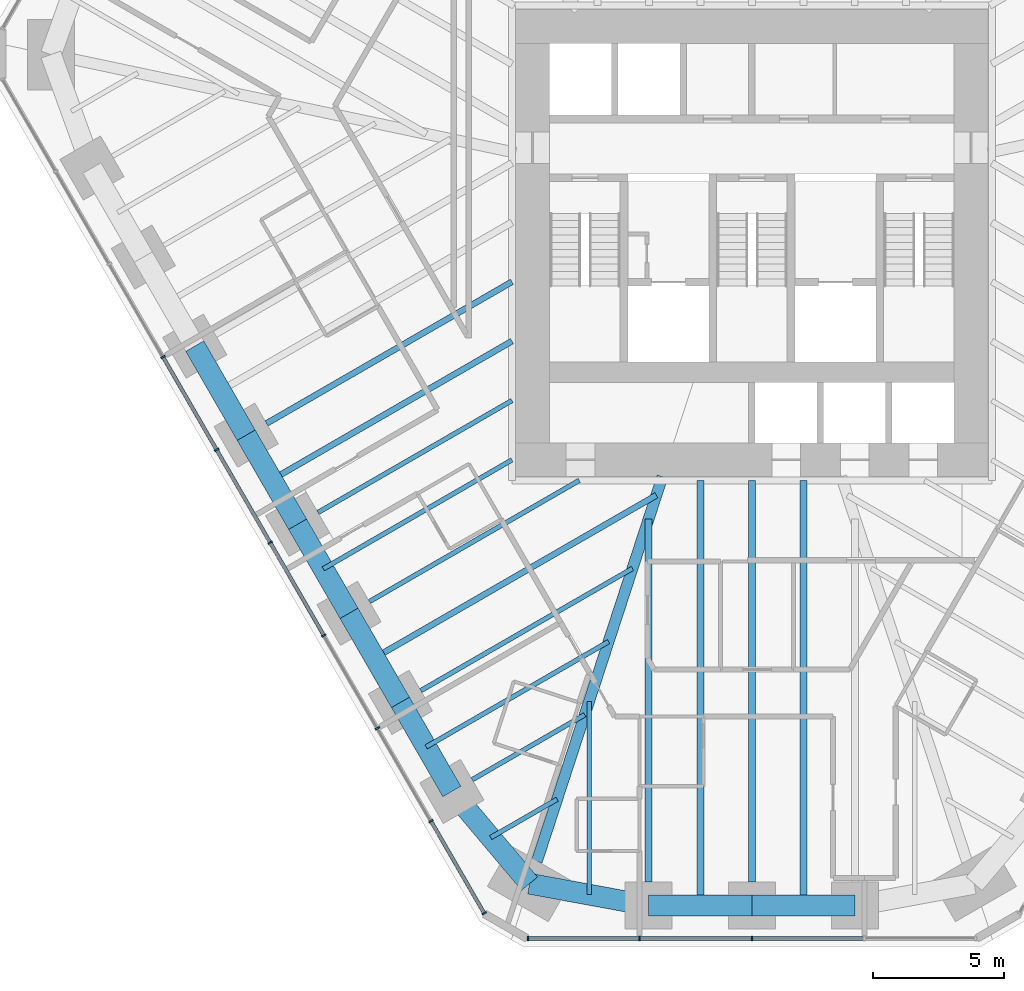
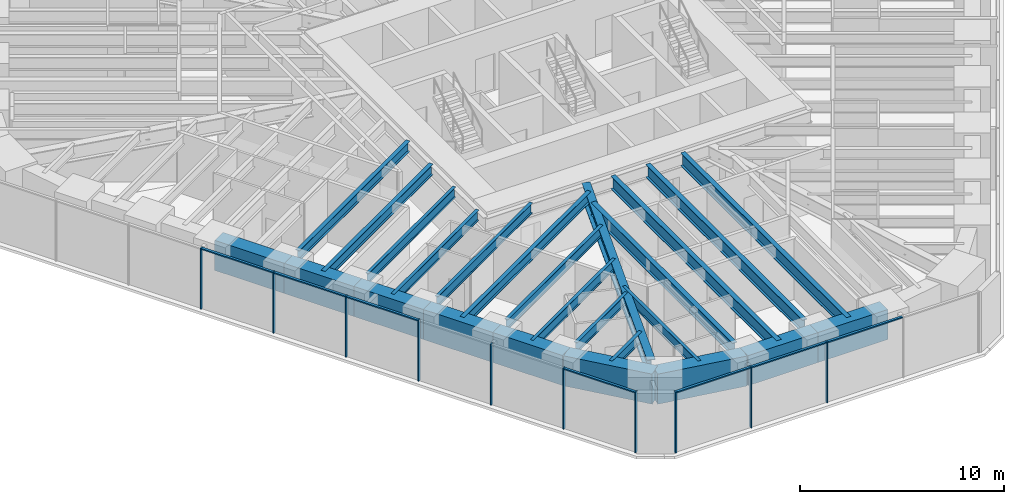
# One storey, part 2 of 17: 25 beams, 17 members, 2 elements without a shape of their own.
"""IFC4 building model written with IfcOpenShell, lengths in metres."""

from ifc_helpers import new_model, si_unit, direction, frame, origin, origin_2d, place, context, subcontext, project, spatial, rectangle, i_section, extrude, material, material_profile, profile_set, type_object, element, aggregate, save


model = new_model("IFC4")

# Units and contexts
model_context = context("Model", 3, precision=1e-05, world=origin(), true_north=direction((0.0, 1.0)))
body_context = subcontext(model_context, "Body", "Model", "MODEL_VIEW")
ifc_project = project(units=[si_unit("LENGTHUNIT", "METRE"), si_unit("AREAUNIT", "SQUARE_METRE"), si_unit("VOLUMEUNIT", "CUBIC_METRE"), si_unit("PLANEANGLEUNIT", "RADIAN"), si_unit("MASSUNIT", "GRAM", prefix="KILO")], contexts=[model_context])

# Site, building, storey
site_placement = place(None, origin())
site = spatial("IfcSite", under=ifc_project, at=site_placement, CompositionType="ELEMENT")
building_placement = place(site_placement, origin())
building = spatial("IfcBuilding", under=site, at=building_placement, Name="Sandreach Pilgrim Tower", CompositionType="ELEMENT")
storey_placement = place(building_placement, frame((0.0, 0.0, 123.39990234375)))
storey = spatial("IfcBuildingStorey", under=building, at=storey_placement, Name="L30", CompositionType="ELEMENT", Elevation=123.39990234375)

# Curtain wall, members
ifc_material_1 = material(Name="Aluminium framed curtain wall", Category="aluminium")
curtain_wall_type = type_object("IfcCurtainWallType", Name="Hotel tower curtain wall", PredefinedType="NOTDEFINED", material=ifc_material_1)
curtain_wall_1_placement = place(storey_placement, origin())
curtain_wall_1 = element("IfcCurtainWall", 1, at=curtain_wall_1_placement, inside=storey, type_object=curtain_wall_type, Name="CW-2 L30 S", PredefinedType="NOTDEFINED")
ifc_material_2 = material(Name="Aluminium extrusion", Category="aluminium")
ifc_material_profile_1 = material_profile(ifc_material_2, rectangle(XDim=0.06494140625, YDim=0.179931640625, at=origin_2d()), Name="CW-2M 65X180")
ifc_profile_set_1 = profile_set([ifc_material_profile_1], Name="Aluminium extrusion")
member_type_1 = type_object("IfcMemberType", Name="CW-2 mullion", PredefinedType="MULLION", material=ifc_profile_set_1)
member_1_placement = place(storey_placement, frame((0.0, -28.192138671875, 0.0), z_axis=(0.0, 0.0, 1.0), x_axis=(-1.0, 0.0, 0.0)))
member_1 = element("IfcMember", 2, at=member_1_placement, type_object=member_type_1, Name="CW-2 mullion 3", PredefinedType="MULLION", context=body_context, shape_type="SweptSolid", body=[
    extrude(rectangle(XDim=0.06494140625, YDim=0.179931640625, at=origin_2d()), origin(), (0.0, 0.0, 1.0), 3.64013671875),
])
member_2_placement = place(storey_placement, frame((-4.3056640625, -28.192138671875, 0.0), z_axis=(0.0, 0.0, 1.0), x_axis=(-1.0, 0.0, 0.0)))
member_2 = element("IfcMember", 3, at=member_2_placement, type_object=member_type_1, Name="CW-2 mullion 4", PredefinedType="MULLION", context=body_context, shape_type="SweptSolid", body=[
    extrude(rectangle(XDim=0.06494140625, YDim=0.179931640625, at=origin_2d()), origin(), (0.0, 0.0, 1.0), 3.64013671875),
])
member_3_placement = place(storey_placement, frame((-8.578857421875, -28.192138671875, 0.0), z_axis=(0.0, 0.0, 1.0), x_axis=(-1.0, 0.0, 0.0)))
member_3 = element("IfcMember", 4, at=member_3_placement, type_object=member_type_1, Name="CW-2 mullion 5", PredefinedType="MULLION", context=body_context, shape_type="SweptSolid", body=[
    extrude(rectangle(XDim=0.06494140625, YDim=0.179931640625, at=origin_2d()), origin(), (0.0, 0.0, 1.0), 3.64013671875),
])

curtain_wall_2_placement = place(storey_placement, origin())
curtain_wall_2 = element("IfcCurtainWall", 5, at=curtain_wall_2_placement, inside=storey, type_object=curtain_wall_type, Name="CW-2 L30 SW", PredefinedType="NOTDEFINED")
member_4_placement = place(storey_placement, frame((-10.255859375, -27.22412109375, 0.0), z_axis=(0.0, 0.0, 1.0), x_axis=(-0.5, 0.866025403784, 0.0)))
member_4 = element("IfcMember", 6, at=member_4_placement, type_object=member_type_1, Name="CW-2 mullion 1", PredefinedType="MULLION", context=body_context, shape_type="SweptSolid", body=[
    extrude(rectangle(XDim=0.06494140625, YDim=0.179931640625, at=origin_2d()), origin(), (0.0, 0.0, 1.0), 3.64013671875),
])
member_5_placement = place(storey_placement, frame((-12.29296875, -23.695556640625, 0.0), z_axis=(0.0, 0.0, 1.0), x_axis=(-0.5, 0.866025403784, 0.0)))
member_5 = element("IfcMember", 7, at=member_5_placement, type_object=member_type_1, Name="CW-2 mullion 2", PredefinedType="MULLION", context=body_context, shape_type="SweptSolid", body=[
    extrude(rectangle(XDim=0.06494140625, YDim=0.179931640625, at=origin_2d()), origin(), (0.0, 0.0, 1.0), 3.64013671875),
])
member_6_placement = place(storey_placement, frame((-14.346435546875, -20.138671875, 0.0), z_axis=(0.0, 0.0, 1.0), x_axis=(-0.5, 0.866025403784, 0.0)))
member_6 = element("IfcMember", 8, at=member_6_placement, type_object=member_type_1, Name="CW-2 mullion 3", PredefinedType="MULLION", context=body_context, shape_type="SweptSolid", body=[
    extrude(rectangle(XDim=0.06494140625, YDim=0.179931640625, at=origin_2d()), origin(), (0.0, 0.0, 1.0), 3.64013671875),
])
member_7_placement = place(storey_placement, frame((-16.39990234375, -16.58203125, 0.0), z_axis=(0.0, 0.0, 1.0), x_axis=(-0.5, 0.866025403784, 0.0)))
member_7 = element("IfcMember", 9, at=member_7_placement, type_object=member_type_1, Name="CW-2 mullion 4", PredefinedType="MULLION", context=body_context, shape_type="SweptSolid", body=[
    extrude(rectangle(XDim=0.06494140625, YDim=0.179931640625, at=origin_2d()), origin(), (0.0, 0.0, 1.0), 3.64013671875),
])
member_8_placement = place(storey_placement, frame((-18.453369140625, -13.025146484375, 0.0), z_axis=(0.0, 0.0, 1.0), x_axis=(-0.5, 0.866025403784, 0.0)))
member_8 = element("IfcMember", 10, at=member_8_placement, type_object=member_type_1, Name="CW-2 mullion 5", PredefinedType="MULLION", context=body_context, shape_type="SweptSolid", body=[
    extrude(rectangle(XDim=0.06494140625, YDim=0.179931640625, at=origin_2d()), origin(), (0.0, 0.0, 1.0), 3.64013671875),
])
member_9_placement = place(storey_placement, frame((-20.5068359375, -9.468505859375, 0.0), z_axis=(0.0, 0.0, 1.0), x_axis=(-0.5, 0.866025403784, 0.0)))
member_9 = element("IfcMember", 11, at=member_9_placement, type_object=member_type_1, Name="CW-2 mullion 6", PredefinedType="MULLION", context=body_context, shape_type="SweptSolid", body=[
    extrude(rectangle(XDim=0.06494140625, YDim=0.179931640625, at=origin_2d()), origin(), (0.0, 0.0, 1.0), 3.64013671875),
])
member_10_placement = place(storey_placement, frame((-22.560302734375, -5.911865234375, 0.0), z_axis=(0.0, 0.0, 1.0), x_axis=(-0.5, 0.866025403784, 0.0)))
member_10 = element("IfcMember", 12, at=member_10_placement, type_object=member_type_1, Name="CW-2 mullion 7", PredefinedType="MULLION", context=body_context, shape_type="SweptSolid", body=[
    extrude(rectangle(XDim=0.06494140625, YDim=0.179931640625, at=origin_2d()), origin(), (0.0, 0.0, 1.0), 3.64013671875),
])

# Member
ifc_material_3 = material(Name="Aluminium extrusion", Category="aluminium")
ifc_material_profile_2 = material_profile(ifc_material_3, rectangle(XDim=0.139892578125, YDim=0.070068359375, at=origin_2d()), Name="CW-2T 140X70")
ifc_profile_set_2 = profile_set([ifc_material_profile_2], Name="Aluminium extrusion")
member_type_2 = type_object("IfcMemberType", Name="CW-2 transom", PredefinedType="USERDEFINED", material=ifc_profile_set_2)
member_11_placement = place(storey_placement, frame((4.273193359375, -28.192138671875, 3.60498046875), z_axis=(-1.0, 0.0, 0.0), x_axis=(0.0, -1.0, 0.0)))
member_11 = element("IfcMember", 13, at=member_11_placement, type_object=member_type_2, Name="CW-2 head transom 2", ObjectType="TRANSOM", PredefinedType="USERDEFINED", context=body_context, shape_type="SweptSolid", body=[
    extrude(rectangle(XDim=0.139892578125, YDim=0.070068359375, at=origin_2d()), origin(), (0.0, 0.0, 1.0), 4.24072265625),
])

member_12_placement = place(storey_placement, frame((-0.032470703125, -28.192138671875, 3.60498046875), z_axis=(-1.0, 0.0, 0.0), x_axis=(0.0, -1.0, 0.0)))
member_12 = element("IfcMember", 14, at=member_12_placement, type_object=member_type_2, Name="CW-2 head transom 3", ObjectType="TRANSOM", PredefinedType="USERDEFINED", context=body_context, shape_type="SweptSolid", body=[
    extrude(rectangle(XDim=0.139892578125, YDim=0.070068359375, at=origin_2d()), origin(), (0.0, 0.0, 1.0), 4.24072265625),
])

member_13_placement = place(storey_placement, frame((-4.338134765625, -28.192138671875, 3.60498046875), z_axis=(-1.0, 0.0, 0.0), x_axis=(0.0, -1.0, 0.0)))
member_13 = element("IfcMember", 15, at=member_13_placement, type_object=member_type_2, Name="CW-2 head transom 4", ObjectType="TRANSOM", PredefinedType="USERDEFINED", context=body_context, shape_type="SweptSolid", body=[
    extrude(rectangle(XDim=0.139892578125, YDim=0.070068359375, at=origin_2d()), origin(), (0.0, 0.0, 1.0), 4.208251953125),
])

aggregate(curtain_wall_1, [member_1, member_2, member_3, member_11, member_12, member_13])

member_14_placement = place(storey_placement, frame((-10.27197265625, -27.196044921875, 3.60498046875), z_axis=(-0.500015851672, 0.866016251624, 0.0), x_axis=(-0.866016251624, -0.500015851672, 0.0)))
member_14 = element("IfcMember", 16, at=member_14_placement, type_object=member_type_2, Name="CW-2 head transom 1", ObjectType="TRANSOM", PredefinedType="USERDEFINED", context=body_context, shape_type="SweptSolid", body=[
    extrude(rectangle(XDim=0.139892578125, YDim=0.070068359375, at=origin_2d()), origin(), (0.0, 0.0, 1.0), 4.009521484375),
])

member_15_placement = place(storey_placement, frame((-16.416259765625, -16.553955078125, 3.60498046875), z_axis=(-0.499997818338, 0.866026663364, 0.0), x_axis=(-0.866026663364, -0.499997818338, 0.0)))
member_15 = element("IfcMember", 17, at=member_15_placement, type_object=member_type_2, Name="CW-2 head transom 4", ObjectType="TRANSOM", PredefinedType="USERDEFINED", context=body_context, shape_type="SweptSolid", body=[
    extrude(rectangle(XDim=0.139892578125, YDim=0.070068359375, at=origin_2d()), origin(), (0.0, 0.0, 1.0), 4.0419921875),
])

member_16_placement = place(storey_placement, frame((-18.4697265625, -12.9970703125, 3.60498046875), z_axis=(-0.499997818338, 0.866026663364, 0.0), x_axis=(-0.866026663364, -0.499997818338, 0.0)))
member_16 = element("IfcMember", 18, at=member_16_placement, type_object=member_type_2, Name="CW-2 head transom 5", ObjectType="TRANSOM", PredefinedType="USERDEFINED", context=body_context, shape_type="SweptSolid", body=[
    extrude(rectangle(XDim=0.139892578125, YDim=0.070068359375, at=origin_2d()), origin(), (0.0, 0.0, 1.0), 4.0419921875),
])

member_17_placement = place(storey_placement, frame((-20.523193359375, -9.4404296875, 3.60498046875), z_axis=(-0.499997818338, 0.866026663364, 0.0), x_axis=(-0.866026663364, -0.499997818338, 0.0)))
member_17 = element("IfcMember", 19, at=member_17_placement, type_object=member_type_2, Name="CW-2 head transom 6", ObjectType="TRANSOM", PredefinedType="USERDEFINED", context=body_context, shape_type="SweptSolid", body=[
    extrude(rectangle(XDim=0.139892578125, YDim=0.070068359375, at=origin_2d()), origin(), (0.0, 0.0, 1.0), 4.0419921875),
])

aggregate(curtain_wall_2, [member_4, member_5, member_6, member_7, member_8, member_9, member_10, member_14, member_15, member_16, member_17])

# Beams
ifc_material_4 = material(Name="Steel ASTM A992 Grade 50", Category="steel")
ifc_material_profile_3 = material_profile(ifc_material_4, i_section(OverallWidth=0.421630859375, OverallDepth=0.937255859375, WebThickness=0.0224609375, FlangeThickness=0.039794921875, at=origin_2d()), Name="W36X282")
ifc_profile_set_3 = profile_set([ifc_material_profile_3], Name="Steel ASTM A992 Grade 50")
beam_type_1 = type_object("IfcBeamType", Name="Corner girder W36X282", PredefinedType="BEAM", material=ifc_profile_set_3)
beam_1_placement = place(storey_placement, frame((-8.238525390625, -25.23876953125, 3.17138671875), z_axis=(0.310307109519, 0.950636364643, 0.0), x_axis=(-0.950636364643, 0.310307109519, 0.0)))
element("IfcBeam", 20, at=beam_1_placement, inside=storey, type_object=beam_type_1, Name="BM L30 CG26", PredefinedType="BEAM", context=body_context, shape_type="SweptSolid", body=[
    extrude(i_section(OverallWidth=0.421630859375, OverallDepth=0.937255859375, WebThickness=0.0224609375, FlangeThickness=0.039794921875, at=origin_2d()), origin(), (0.0, 0.0, 1.0), 15.504150390625),
])
ifc_material_5 = material(Name="Steel ASTM A992 Grade 50", Category="steel")
ifc_material_profile_4 = material_profile(ifc_material_5, i_section(OverallWidth=0.1787109375, OverallDepth=0.60205078125, WebThickness=0.010986328125, FlangeThickness=0.014892578125, at=origin_2d()), Name="W24X62")
ifc_profile_set_4 = profile_set([ifc_material_profile_4], Name="Steel ASTM A992 Grade 50")
beam_type_2 = type_object("IfcBeamType", Name="Floor beam W24X62", PredefinedType="BEAM", material=ifc_profile_set_4)
beam_2_placement = place(storey_placement, frame((-10.714599609375, -22.109130859375, 3.339111328125), z_axis=(0.866024645457, 0.500001313459, 0.0), x_axis=(-0.500001313459, 0.866024645457, 0.0)))
element("IfcBeam", 21, at=beam_2_placement, inside=storey, type_object=beam_type_2, Name="BM L30 F27", PredefinedType="BEAM", context=body_context, shape_type="SweptSolid", body=[
    extrude(i_section(OverallWidth=0.1787109375, OverallDepth=0.60205078125, WebThickness=0.010986328125, FlangeThickness=0.014892578125, at=origin_2d()), origin(), (0.0, 0.0, 1.0), 4.9765625),
])
beam_3_placement = place(storey_placement, frame((-12.6845703125, -18.697265625, 3.339111328125), z_axis=(0.866012351917, 0.500022605817, 0.0), x_axis=(-0.500022605817, 0.866012351917, 0.0)))
element("IfcBeam", 22, at=beam_3_placement, inside=storey, type_object=beam_type_2, Name="BM L30 F28", PredefinedType="BEAM", context=body_context, shape_type="SweptSolid", body=[
    extrude(i_section(OverallWidth=0.1787109375, OverallDepth=0.60205078125, WebThickness=0.010986328125, FlangeThickness=0.014892578125, at=origin_2d()), origin(), (0.0, 0.0, 1.0), 9.3642578125),
])
beam_4_placement = place(storey_placement, frame((-14.654541015625, -15.28515625, 3.339111328125), z_axis=(0.866015659929, 0.500016876472, 0.0), x_axis=(-0.500016876472, 0.866015659929, 0.0)))
element("IfcBeam", 23, at=beam_4_placement, inside=storey, type_object=beam_type_2, Name="BM L30 F29", PredefinedType="BEAM", context=body_context, shape_type="SweptSolid", body=[
    extrude(i_section(OverallWidth=0.1787109375, OverallDepth=0.60205078125, WebThickness=0.010986328125, FlangeThickness=0.014892578125, at=origin_2d()), origin(), (0.0, 0.0, 1.0), 9.283447265625),
])
beam_5_placement = place(storey_placement, frame((-16.62451171875, -11.873046875, 3.339111328125), z_axis=(0.866017857595, 0.500013070155, 0.0), x_axis=(-0.500013070155, 0.866017857595, 0.0)))
element("IfcBeam", 24, at=beam_5_placement, inside=storey, type_object=beam_type_2, Name="BM L30 F30", PredefinedType="BEAM", context=body_context, shape_type="SweptSolid", body=[
    extrude(i_section(OverallWidth=0.1787109375, OverallDepth=0.60205078125, WebThickness=0.010986328125, FlangeThickness=0.014892578125, at=origin_2d()), origin(), (0.0, 0.0, 1.0), 8.580810546875),
])
beam_6_placement = place(storey_placement, frame((-6.236572265625, -26.51318359375, 3.339111328125), z_axis=(0.0, 1.0, 0.0), x_axis=(-1.0, 0.0, 0.0)))
element("IfcBeam", 25, at=beam_6_placement, inside=storey, type_object=beam_type_2, Name="BM L30 FM25", PredefinedType="BEAM", context=body_context, shape_type="SweptSolid", body=[
    extrude(i_section(OverallWidth=0.1787109375, OverallDepth=0.60205078125, WebThickness=0.010986328125, FlangeThickness=0.014892578125, at=origin_2d()), origin(), (0.0, 0.0, 1.0), 7.40771484375),
])
beam_7_placement = place(storey_placement, frame((-10.006103515625, -24.326904296875, 3.339111328125), z_axis=(0.866015396618, 0.500017332519, 0.0), x_axis=(-0.500017332519, 0.866015396618, 0.0)))
element("IfcBeam", 26, at=beam_7_placement, inside=storey, type_object=beam_type_2, Name="BM L30 FM26", PredefinedType="BEAM", context=body_context, shape_type="SweptSolid", body=[
    extrude(i_section(OverallWidth=0.1787109375, OverallDepth=0.60205078125, WebThickness=0.010986328125, FlangeThickness=0.014892578125, at=origin_2d()), origin(), (0.0, 0.0, 1.0), 2.9384765625),
])
beam_8_placement = place(storey_placement, frame((-12.47900390625, -20.853271484375, 3.339111328125), z_axis=(0.866017328257, 0.500013986963, 0.0), x_axis=(-0.500013986963, 0.866017328257, 0.0)))
element("IfcBeam", 27, at=beam_8_placement, inside=storey, type_object=beam_type_2, Name="BM L30 FM27", PredefinedType="BEAM", context=body_context, shape_type="SweptSolid", body=[
    extrude(i_section(OverallWidth=0.1787109375, OverallDepth=0.60205078125, WebThickness=0.010986328125, FlangeThickness=0.014892578125, at=origin_2d()), origin(), (0.0, 0.0, 1.0), 8.070556640625),
])
beam_9_placement = place(storey_placement, frame((-16.4189453125, -14.029052734375, 3.339111328125), z_axis=(0.866016009309, 0.500016271356, 0.0), x_axis=(-0.500016271356, 0.866016009309, 0.0)))
element("IfcBeam", 28, at=beam_9_placement, inside=storey, type_object=beam_type_2, Name="BM L30 FM29", PredefinedType="BEAM", context=body_context, shape_type="SweptSolid", body=[
    extrude(i_section(OverallWidth=0.1787109375, OverallDepth=0.60205078125, WebThickness=0.010986328125, FlangeThickness=0.014892578125, at=origin_2d()), origin(), (0.0, 0.0, 1.0), 8.343505859375),
])
ifc_material_6 = material(Name="Steel ASTM A992 Grade 50", Category="steel")
ifc_material_profile_5 = material_profile(ifc_material_6, i_section(OverallWidth=0.23046875, OverallDepth=0.6171875, WebThickness=0.01318359375, FlangeThickness=0.022216796875, at=origin_2d()), Name="W24X94")
ifc_profile_set_5 = profile_set([ifc_material_profile_5], Name="Steel ASTM A992 Grade 50")
beam_type_3 = type_object("IfcBeamType", Name="Floor beam W24X94", PredefinedType="BEAM", material=ifc_profile_set_5)
beam_10_placement = place(storey_placement, frame((-18.594482421875, -8.4609375, 3.33154296875), z_axis=(0.866015926388, 0.500016414973, 0.0), x_axis=(-0.500016414973, 0.866015926388, 0.0)))
element("IfcBeam", 29, at=beam_10_placement, inside=storey, type_object=beam_type_3, Name="BM L30 F31", PredefinedType="BEAM", context=body_context, shape_type="SweptSolid", body=[
    extrude(i_section(OverallWidth=0.23046875, OverallDepth=0.6171875, WebThickness=0.01318359375, FlangeThickness=0.022216796875, at=origin_2d()), origin(), (0.0, 0.0, 1.0), 10.855712890625),
])
beam_11_placement = place(storey_placement, frame((-14.448974609375, -17.441162109375, 3.33154296875), z_axis=(0.866019150617, 0.500010830648, 0.0), x_axis=(-0.500010830648, 0.866019150617, 0.0)))
element("IfcBeam", 30, at=beam_11_placement, inside=storey, type_object=beam_type_3, Name="BM L30 FM28", PredefinedType="BEAM", context=body_context, shape_type="SweptSolid", body=[
    extrude(i_section(OverallWidth=0.23046875, OverallDepth=0.6171875, WebThickness=0.01318359375, FlangeThickness=0.022216796875, at=origin_2d()), origin(), (0.0, 0.0, 1.0), 12.458251953125),
])
beam_12_placement = place(storey_placement, frame((-18.388916015625, -10.616943359375, 3.33154296875), z_axis=(0.866024387147, 0.500001760863, 0.0), x_axis=(-0.500001760863, 0.866024387147, 0.0)))
element("IfcBeam", 31, at=beam_12_placement, inside=storey, type_object=beam_type_3, Name="BM L30 FM30", PredefinedType="BEAM", context=body_context, shape_type="SweptSolid", body=[
    extrude(i_section(OverallWidth=0.23046875, OverallDepth=0.6171875, WebThickness=0.01318359375, FlangeThickness=0.022216796875, at=origin_2d()), origin(), (0.0, 0.0, 1.0), 10.6181640625),
])
ifc_material_7 = material(Name="Steel ASTM A992 Grade 50", Category="steel")
ifc_material_profile_6 = material_profile(ifc_material_7, i_section(OverallWidth=0.2666015625, OverallDepth=0.761962890625, WebThickness=0.014404296875, FlangeThickness=0.021484375, at=origin_2d()), Name="W30X116")
ifc_profile_set_6 = profile_set([ifc_material_profile_6], Name="Steel ASTM A992 Grade 50")
beam_type_4 = type_object("IfcBeamType", Name="Floor beam W30X116", PredefinedType="BEAM", material=ifc_profile_set_6)
beam_13_placement = place(storey_placement, frame((-3.955322265625, -26.0322265625, 3.259033203125), z_axis=(0.0, 1.0, 0.0), x_axis=(-1.0, 0.0, 0.0)))
element("IfcBeam", 32, at=beam_13_placement, inside=storey, type_object=beam_type_4, Name="BM L30 F25", PredefinedType="BEAM", context=body_context, shape_type="SweptSolid", body=[
    extrude(i_section(OverallWidth=0.2666015625, OverallDepth=0.761962890625, WebThickness=0.014404296875, FlangeThickness=0.021484375, at=origin_2d()), origin(), (0.0, 0.0, 1.0), 13.91552734375),
])
ifc_material_8 = material(Name="Steel ASTM A992 Grade 50", Category="steel")
ifc_material_profile_7 = material_profile(ifc_material_8, i_section(OverallWidth=0.2666015625, OverallDepth=0.77978515625, WebThickness=0.0166015625, FlangeThickness=0.030029296875, at=origin_2d()), Name="W30X148")
ifc_profile_set_7 = profile_set([ifc_material_profile_7], Name="Steel ASTM A992 Grade 50")
beam_type_5 = type_object("IfcBeamType", Name="Floor beam W30X148", PredefinedType="BEAM", material=ifc_profile_set_7)
beam_14_placement = place(storey_placement, frame((0.0, -26.0322265625, 3.250244140625), z_axis=(0.0, 1.0, 0.0), x_axis=(-1.0, 0.0, 0.0)))
element("IfcBeam", 33, at=beam_14_placement, inside=storey, type_object=beam_type_5, Name="BM L30 F24", PredefinedType="BEAM", context=body_context, shape_type="SweptSolid", body=[
    extrude(i_section(OverallWidth=0.2666015625, OverallDepth=0.77978515625, WebThickness=0.0166015625, FlangeThickness=0.030029296875, at=origin_2d()), origin(), (0.0, 0.0, 1.0), 15.388916015625),
])
for number, where, z_axis, x_axis, name in (
    (34, (1.9775390625, -26.93212890625, 3.250244140625), (0.0, 1.0, 0.0), (-1.0, 0.0, 0.0), "BM L30 FM23"),
    (35, (-1.9775390625, -26.93212890625, 3.250244140625), (0.0, 1.0, 0.0), (-1.0, 0.0, 0.0), "BM L30 FM24"),
):
    element("IfcBeam", number, at=place(storey_placement, frame(where, z_axis=z_axis, x_axis=x_axis)), inside=storey, type_object=beam_type_5, Name=name, PredefinedType="BEAM", context=body_context, shape_type="SweptSolid", body=[
        extrude(i_section(OverallWidth=0.2666015625, OverallDepth=0.77978515625, WebThickness=0.0166015625, FlangeThickness=0.030029296875, at=origin_2d()), origin(), (0.0, 0.0, 1.0), 16.288818359375),
    ])
ifc_material_9 = material(Name="Concrete 10000 psi", Category="concrete")
ifc_material_profile_8 = material_profile(ifc_material_9, rectangle(XDim=0.800048828125, YDim=1.800048828125, at=origin_2d()), Name="RC800X1800")
ifc_profile_set_8 = profile_set([ifc_material_profile_8], Name="Concrete 10000 psi")
beam_type_6 = type_object("IfcBeamType", Name="Spandrel beam RC800X1800", PredefinedType="SPANDREL", material=ifc_profile_set_8)
for number, where, z_axis, x_axis, name in (
    (36, (3.955322265625, -26.93212890625, 2.739990234375), (-1.0, 0.0, 0.0), (0.0, -1.0, 0.0), "BM L30 SP23"),
    (37, (0.0, -26.93212890625, 2.739990234375), (-1.0, 0.0, 0.0), (0.0, -1.0, 0.0), "BM L30 SP24"),
):
    element("IfcBeam", number, at=place(storey_placement, frame(where, z_axis=z_axis, x_axis=x_axis)), inside=storey, type_object=beam_type_6, Name=name, PredefinedType="SPANDREL", context=body_context, shape_type="SweptSolid", body=[
        extrude(rectangle(XDim=0.800048828125, YDim=1.800048828125, at=origin_2d()), origin(), (0.0, 0.0, 1.0), 3.955322265625),
    ])
beam_15_placement = place(storey_placement, frame((-3.955322265625, -26.93212890625, 2.739990234375), z_axis=(-0.983551746136, 0.180626583516, 0.0), x_axis=(-0.180626583516, -0.983551746136, 0.0)))
element("IfcBeam", 38, at=beam_15_placement, inside=storey, type_object=beam_type_6, Name="BM L30 SP25", PredefinedType="SPANDREL", context=body_context, shape_type="SweptSolid", body=[
    extrude(rectangle(XDim=0.800048828125, YDim=1.800048828125, at=origin_2d()), origin(), (0.0, 0.0, 1.0), 4.638916015625),
])
beam_16_placement = place(storey_placement, frame((-8.517822265625, -26.09423828125, 2.739990234375), z_axis=(-0.644078801547, 0.764959147535, 0.0), x_axis=(-0.764959147535, -0.644078801547, 0.0)))
element("IfcBeam", 39, at=beam_16_placement, inside=storey, type_object=beam_type_6, Name="BM L30 SP26", PredefinedType="SPANDREL", context=body_context, shape_type="SweptSolid", body=[
    extrude(rectangle(XDim=0.800048828125, YDim=1.800048828125, at=origin_2d()), origin(), (0.0, 0.0, 1.0), 4.62109375),
])
for number, where, z_axis, x_axis, name in (
    (40, (-11.494140625, -22.559326171875, 2.739990234375), (-0.49999779889, 0.866026674592, 0.0), (-0.866026674592, -0.49999779889, 0.0), "BM L30 SP27"),
    (41, (-13.464111328125, -19.147216796875, 2.739990234375), (-0.49999779889, 0.866026674592, 0.0), (-0.866026674592, -0.49999779889, 0.0), "BM L30 SP28"),
    (42, (-15.43408203125, -15.735107421875, 2.739990234375), (-0.49999779889, 0.866026674592, 0.0), (-0.866026674592, -0.49999779889, 0.0), "BM L30 SP29"),
    (43, (-17.404052734375, -12.322998046875, 2.739990234375), (-0.49999779889, 0.866026674592, 0.0), (-0.866026674592, -0.49999779889, 0.0), "BM L30 SP30"),
    (44, (-19.3740234375, -8.910888671875, 2.739990234375), (-0.49999779889, 0.866026674592, 0.0), (-0.866026674592, -0.49999779889, 0.0), "BM L30 SP31"),
):
    element("IfcBeam", number, at=place(storey_placement, frame(where, z_axis=z_axis, x_axis=x_axis)), inside=storey, type_object=beam_type_6, Name=name, PredefinedType="SPANDREL", context=body_context, shape_type="SweptSolid", body=[
        extrude(rectangle(XDim=0.800048828125, YDim=1.800048828125, at=origin_2d()), origin(), (0.0, 0.0, 1.0), 3.93994140625),
    ])

save(model, "model.ifc")
